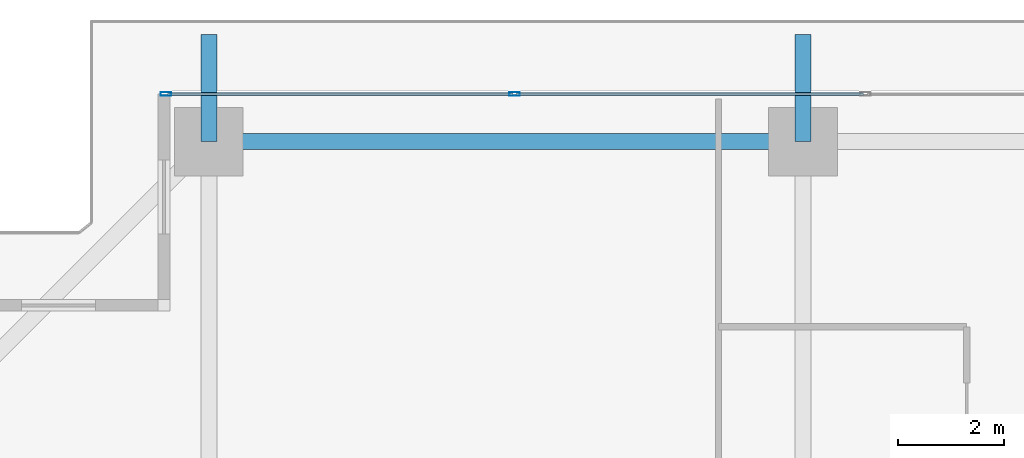
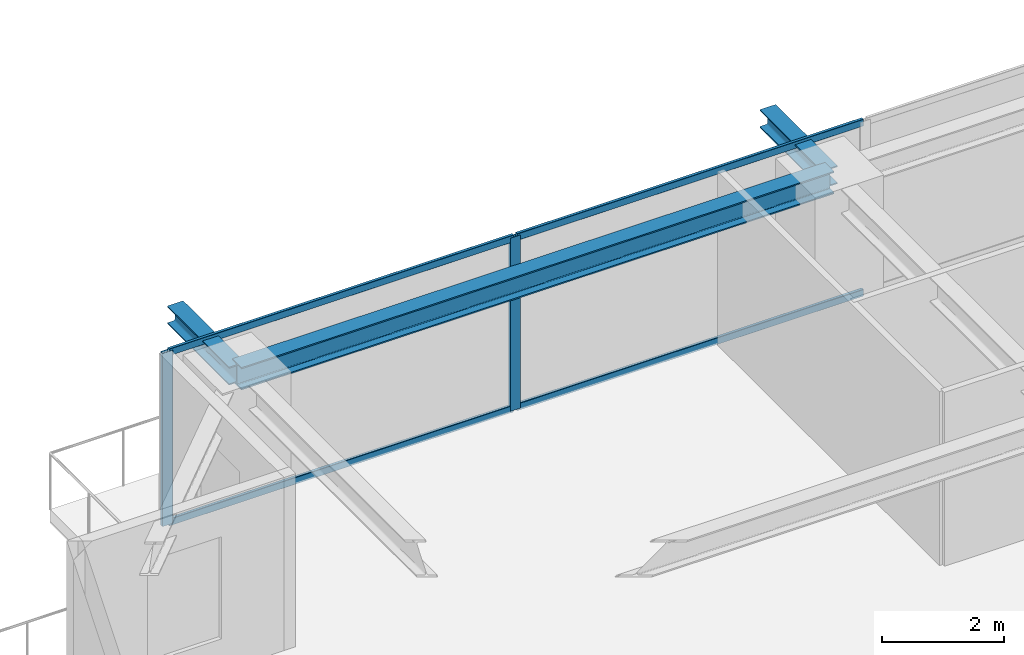
# One storey, part 17 of 35: 6 members, 3 beams, 1 element without a shape of its own.
"""IFC4 building model written with IfcOpenShell, lengths in metres."""

from ifc_helpers import new_model, si_unit, direction, frame, origin, origin_2d, place, context, subcontext, project, spatial, hollow_rectangle, i_section, extrude, source, transform, mapped, material, layer, layer_set, material_profile, profile_set, type_object, element, aggregate, save


model = new_model("IFC4")

# Units and contexts
model_context = context("Model", 3, precision=1e-05, world=origin(), true_north=direction((0.0, 1.0)))
body_context = subcontext(model_context, "Body", "Model", "MODEL_VIEW")
ifc_project = project(units=[si_unit("LENGTHUNIT", "METRE"), si_unit("AREAUNIT", "SQUARE_METRE"), si_unit("VOLUMEUNIT", "CUBIC_METRE"), si_unit("PLANEANGLEUNIT", "RADIAN"), si_unit("MASSUNIT", "GRAM", prefix="KILO")], contexts=[model_context])

# Site, building, storey
site_placement = place(None, origin())
site = spatial("IfcSite", under=ifc_project, at=site_placement, CompositionType="ELEMENT")
building_placement = place(site_placement, origin())
building = spatial("IfcBuilding", under=site, at=building_placement, Name="Serunith Strait Residences", CompositionType="ELEMENT")
storey_placement = place(building_placement, frame((0.0, 0.0, 157.64990234375)))
storey = spatial("IfcBuildingStorey", under=building, at=storey_placement, Name="L39", CompositionType="ELEMENT", Elevation=157.64990234375)

# Beams
ifc_material_1 = material(Name="Steel S355J2", Category="steel")
ifc_material_profile_1 = material_profile(ifc_material_1, i_section(OverallWidth=0.300048828125, OverallDepth=0.449951171875, WebThickness=0.013916015625, FlangeThickness=0.02587890625, FilletRadius=0.027099609375, at=origin_2d()), Name="HEB 450")
ifc_profile_set_1 = profile_set([ifc_material_profile_1], Name="Steel S355J2")
beam_type_1 = type_object("IfcBeamType", Name="BM-HEB450", PredefinedType="BEAM", material=ifc_profile_set_1)
shared_shape_1 = source(origin(), body_context, "Body", "SweptSolid", [
    extrude(i_section(OverallWidth=0.300048828125, OverallDepth=0.449951171875, WebThickness=0.013916015625, FlangeThickness=0.02587890625, FilletRadius=0.027099609375, at=origin_2d()), origin(), (0.0, 0.0, 1.0), 11.25),
])
beam_placement = place(storey_placement, frame((27.89990234375, 48.10009765625, 3.26220703125), z_axis=(-1.0, 0.0, 0.0), x_axis=(0.0, -1.0, 0.0)))
element("IfcBeam", 1, at=beam_placement, inside=storey, type_object=beam_type_1, Name="L39 Perimeter Ring Beam 11", PredefinedType="BEAM", context=body_context, shape_type="MappedRepresentation", body=[
    mapped(shared_shape_1, transform((0.0, 0.0, 0.0), scale=1.0)),
])
ifc_material_profile_2 = material_profile(ifc_material_1, i_section(OverallWidth=0.300048828125, OverallDepth=0.360107421875, WebThickness=0.012451171875, FlangeThickness=0.0224609375, FilletRadius=0.027099609375, at=origin_2d()), Name="HEB 360")
ifc_profile_set_2 = profile_set([ifc_material_profile_2], Name="Steel S355J2")
beam_type_2 = type_object("IfcBeamType", Name="BM-HEB360", PredefinedType="BEAM", material=ifc_profile_set_2)
shared_shape_2 = source(origin(), body_context, "Body", "SweptSolid", [
    extrude(i_section(OverallWidth=0.300048828125, OverallDepth=0.360107421875, WebThickness=0.012451171875, FlangeThickness=0.0224609375, FilletRadius=0.027099609375, at=origin_2d()), origin(), (0.0, 0.0, 1.0), 2.02978515625),
])
for number, where, z_axis, x_axis, name in (
    (2, (16.64990234375, 48.10009765625, 3.277099609375), (0.0, 1.0, 0.0), (-1.0, 0.0, 0.0), "L40 Cantilevered Balcony Rib TC-N1"),
    (3, (27.89990234375, 48.10009765625, 3.277099609375), (0.0, 1.0, 0.0), (-1.0, 0.0, 0.0), "L40 Cantilevered Balcony Rib TC-N2"),
):
    element("IfcBeam", number, at=place(storey_placement, frame(where, z_axis=z_axis, x_axis=x_axis)), inside=storey, type_object=beam_type_2, Name=name, PredefinedType="BEAM", context=body_context, shape_type="MappedRepresentation", body=[
        mapped(shared_shape_2, transform((0.0, 0.0, 0.0), scale=1.0)),
    ])

# Curtain wall, members
ifc_material_2 = material(Name="Pale-Champagne Anodised Aluminium", Category="aluminium")
ifc_layer = layer(ifc_material_2, 0.199951171875, Name="Pale-Champagne Anodised Aluminium")
ifc_layer_set = layer_set([ifc_layer], Name="Pale-Champagne Anodised Aluminium")
curtain_wall_type = type_object("IfcCurtainWallType", Name="CW-SYS2", PredefinedType="NOTDEFINED", material=ifc_layer_set)
curtain_wall_placement = place(storey_placement, origin())
curtain_wall = element("IfcCurtainWall", 4, at=curtain_wall_placement, inside=storey, type_object=curtain_wall_type, Name="L39 N Unitised Fritted Curtain Wall", PredefinedType="NOTDEFINED")
ifc_material_profile_3 = material_profile(ifc_material_2, hollow_rectangle(XDim=0.070068359375, YDim=0.199951171875, WallThickness=0.00390625, InnerFilletRadius=0.006103515625, OuterFilletRadius=0.010009765625, at=origin_2d()), Name="ALU 200x70x4")
ifc_profile_set_3 = profile_set([ifc_material_profile_3], Name="Pale-Champagne Anodised Aluminium")
member_type_1 = type_object("IfcMemberType", Name="CW-SYS2-MULL", PredefinedType="MULLION", material=ifc_profile_set_3)
shared_shape_3 = source(origin(), body_context, "Body", "SweptSolid", [
    extrude(hollow_rectangle(XDim=0.070068359375, YDim=0.199951171875, WallThickness=0.00390625, InnerFilletRadius=0.006103515625, OuterFilletRadius=0.010009765625, at=origin_2d()), origin(), (0.0, 0.0, 1.0), 3.47509765625),
])
member_1_placement = place(storey_placement, frame((22.43994140625, 49.0, 0.0), z_axis=(0.0, 0.0, 1.0), x_axis=(0.0, -1.0, 0.0)))
member_1 = element("IfcMember", 5, at=member_1_placement, type_object=member_type_1, Name="CW-2 mullion 5", PredefinedType="MULLION", context=body_context, shape_type="MappedRepresentation", body=[
    mapped(shared_shape_3, transform((0.0, 0.0, 0.0), scale=1.0)),
])
member_2_placement = place(storey_placement, frame((15.8349609375, 49.0, 0.0), z_axis=(0.0, 0.0, 1.0), x_axis=(0.0, -1.0, 0.0)))
member_2 = element("IfcMember", 6, at=member_2_placement, type_object=member_type_1, Name="CW-2 mullion 6", PredefinedType="MULLION", context=body_context, shape_type="MappedRepresentation", body=[
    mapped(shared_shape_3, transform((0.0, 0.0, 0.0), scale=1.0)),
])
ifc_material_profile_4 = material_profile(ifc_material_2, hollow_rectangle(XDim=0.06005859375, YDim=0.139892578125, WallThickness=0.00341796875, InnerFilletRadius=0.00537109375, OuterFilletRadius=0.0087890625, at=origin_2d()), Name="ALU 140x60x3.5")
ifc_profile_set_4 = profile_set([ifc_material_profile_4], Name="Pale-Champagne Anodised Aluminium")
member_type_2 = type_object("IfcMemberType", Name="CW-SYS2-TRAN", PredefinedType="USERDEFINED", material=ifc_profile_set_4)
shared_shape_4 = source(origin(), body_context, "Body", "SweptSolid", [
    extrude(hollow_rectangle(XDim=0.06005859375, YDim=0.139892578125, WallThickness=0.00341796875, InnerFilletRadius=0.00537109375, OuterFilletRadius=0.0087890625, at=origin_2d()), origin(), (0.0, 0.0, 1.0), 6.534912109375),
])
member_3_placement = place(storey_placement, frame((22.405029296875, 49.0, 0.030029296875), z_axis=(-1.0, 0.0, 0.0), x_axis=(0.0, -1.0, 0.0)))
member_3 = element("IfcMember", 7, at=member_3_placement, type_object=member_type_2, Name="CW-2 transom 5.1", ObjectType="TRANSOM", PredefinedType="USERDEFINED", context=body_context, shape_type="MappedRepresentation", body=[
    mapped(shared_shape_4, transform((0.0, 0.0, 0.0), scale=1.0)),
])
member_4_placement = place(storey_placement, frame((22.405029296875, 49.0, 3.445068359375), z_axis=(-1.0, 0.0, 0.0), x_axis=(0.0, -1.0, 0.0)))
member_4 = element("IfcMember", 8, at=member_4_placement, type_object=member_type_2, Name="CW-2 transom 5.2", ObjectType="TRANSOM", PredefinedType="USERDEFINED", context=body_context, shape_type="MappedRepresentation", body=[
    mapped(shared_shape_4, transform((0.0, 0.0, 0.0), scale=1.0)),
])
shared_shape_5 = source(origin(), body_context, "Body", "SweptSolid", [
    extrude(hollow_rectangle(XDim=0.06005859375, YDim=0.139892578125, WallThickness=0.00341796875, InnerFilletRadius=0.00537109375, OuterFilletRadius=0.0087890625, at=origin_2d()), origin(), (0.0, 0.0, 1.0), 6.56982421875),
])
member_5_placement = place(storey_placement, frame((29.044921875, 49.0, 0.030029296875), z_axis=(-1.0, 0.0, 0.0), x_axis=(0.0, -1.0, 0.0)))
member_5 = element("IfcMember", 9, at=member_5_placement, type_object=member_type_2, Name="CW-2 transom 4.1", ObjectType="TRANSOM", PredefinedType="USERDEFINED", context=body_context, shape_type="MappedRepresentation", body=[
    mapped(shared_shape_5, transform((0.0, 0.0, 0.0), scale=1.0)),
])
member_6_placement = place(storey_placement, frame((29.044921875, 49.0, 3.445068359375), z_axis=(-1.0, 0.0, 0.0), x_axis=(0.0, -1.0, 0.0)))
member_6 = element("IfcMember", 10, at=member_6_placement, type_object=member_type_2, Name="CW-2 transom 4.2", ObjectType="TRANSOM", PredefinedType="USERDEFINED", context=body_context, shape_type="MappedRepresentation", body=[
    mapped(shared_shape_5, transform((0.0, 0.0, 0.0), scale=1.0)),
])
aggregate(curtain_wall, [member_1, member_2, member_5, member_6, member_3, member_4])

save(model, "model.ifc")
